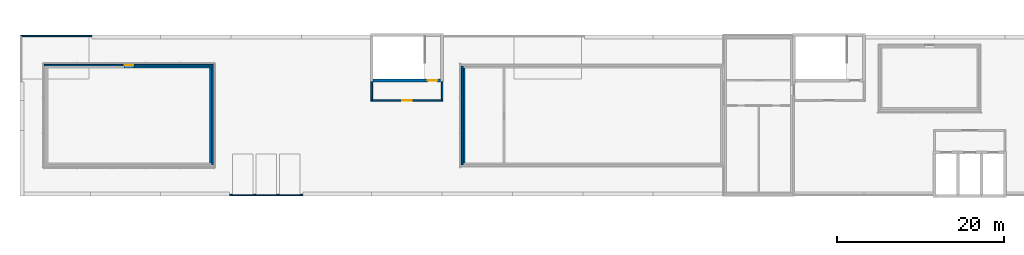
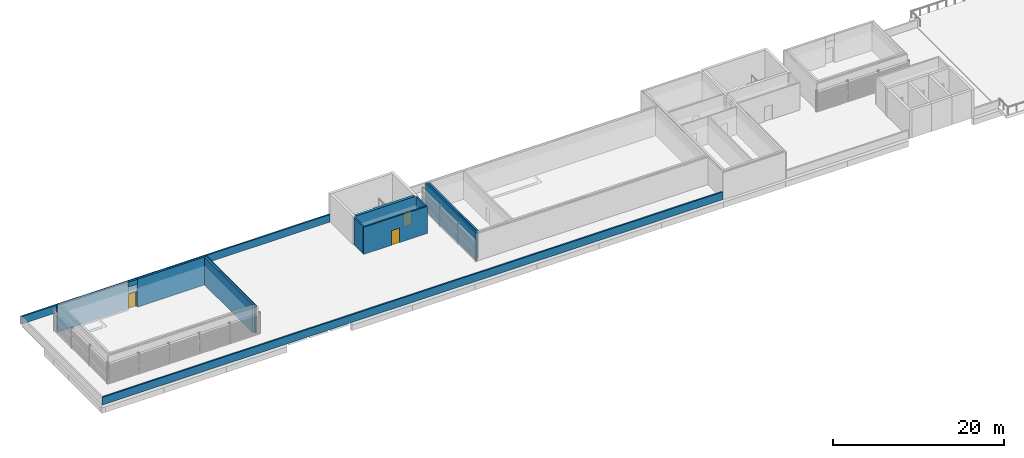
# One storey, part 2 of 13: 13 walls, 3 doors, 3 openings.
"""IFC4 building model written with IfcOpenShell, lengths in metres."""

import ifcopenshell
import ifcopenshell.guid

model = None  # the IFC model being written
_history = None  # IfcOwnerHistory: only IFC2X3 demands one
_inside = {}  # id of a spatial element -> (the spatial element, [elements in it])
_under = {}  # id of a project, library or spatial element -> (it, [spatial elements below it])
_declared = {}  # id of a project -> (the project, [libraries it declares])
_typed = {}  # id of a type object -> (the type object, [elements of that type])
_made_of = {}  # id of a material, layer set ... -> (it, [elements and type objects made of it])


def new_model(schema):
    """Start an empty IFC model of exactly this schema.

    Asked for "IFC4X3", IfcOpenShell would pick the latest addendum, in which some entities
    have other attributes; the version numbers below select the first issue.
    IFC2X3 requires an IfcOwnerHistory on every rooted entity: one is made here for all.
    """
    global model, _history
    if schema == "IFC4X3":
        model = ifcopenshell.file(schema_version=(4, 3, 0, 0))
    else:
        model = ifcopenshell.file(schema=schema)
    _inside.clear()
    _under.clear()
    _declared.clear()
    _typed.clear()
    _made_of.clear()
    _history = None
    if model.schema == "IFC2X3":
        org = make("IfcOrganization", Name="unknown")
        user = make(
            "IfcPersonAndOrganization",
            ThePerson=make("IfcPerson", FamilyName="unknown"),
            TheOrganization=org,
        )
        app = make(
            "IfcApplication",
            ApplicationDeveloper=org,
            Version="unknown",
            ApplicationFullName="unknown",
            ApplicationIdentifier="unknown",
        )
        _history = make(
            "IfcOwnerHistory",
            OwningUser=user,
            OwningApplication=app,
            ChangeAction="ADDED",
            CreationDate=0,
        )
    return model


def make(cls, **values):
    """One entity of the class cls with the attributes given. An attribute that is None is left unset."""
    return model.create_entity(
        cls, **{name: value for name, value in values.items() if value is not None}
    )


def rooted(cls, **values):
    """An entity with a GlobalId (a new one), such as an element, a storey or a relation."""
    return make(cls, GlobalId=ifcopenshell.guid.new(), OwnerHistory=_history, **values)


def si_unit(unit_type, name, prefix=None):
    """IfcSIUnit, for example si_unit("LENGTHUNIT", "METRE", prefix="MILLI")."""
    return make("IfcSIUnit", UnitType=unit_type, Prefix=prefix, Name=name)


def assignment(units):
    """IfcUnitAssignment: the units of a project."""
    return None if units is None else make("IfcUnitAssignment", Units=units)


def point(xyz):
    """IfcCartesianPoint."""
    return None if xyz is None else make("IfcCartesianPoint", Coordinates=xyz)


def direction(xyz):
    """IfcDirection."""
    return None if xyz is None else make("IfcDirection", DirectionRatios=xyz)


def frame(location, z_axis=None, x_axis=None):
    """IfcAxis2Placement3D, a coordinate frame: its origin and axes. An axis left out is left unset."""
    return make(
        "IfcAxis2Placement3D",
        Location=point(location),
        Axis=direction(z_axis),
        RefDirection=direction(x_axis),
    )


def frame_2d(location, x_axis=None):
    """IfcAxis2Placement2D, a coordinate frame in the plane: its origin and x axis."""
    return make(
        "IfcAxis2Placement2D", Location=point(location), RefDirection=direction(x_axis)
    )


def origin():
    """The frame at (0, 0, 0) with its axes left unset."""
    return frame((0.0, 0.0, 0.0))


def place(relative_to, where):
    """IfcLocalPlacement: puts the frame where relative to a parent placement (None: the world)."""
    return make(
        "IfcLocalPlacement", PlacementRelTo=relative_to, RelativePlacement=where
    )


def context(
    kind, dimensions, precision=None, world=None, true_north=None, identifier=None
):
    """IfcGeometricRepresentationContext, for example the 3D "Model" context."""
    return make(
        "IfcGeometricRepresentationContext",
        ContextIdentifier=identifier,
        ContextType=kind,
        CoordinateSpaceDimension=dimensions,
        Precision=precision,
        WorldCoordinateSystem=world,
        TrueNorth=true_north,
    )


def subcontext(parent, identifier, kind, view, scale=None):
    """IfcGeometricRepresentationSubContext, for example "Body" below "Model"."""
    return make(
        "IfcGeometricRepresentationSubContext",
        ContextIdentifier=identifier,
        ContextType=kind,
        ParentContext=parent,
        TargetScale=scale,
        TargetView=view,
    )


def project(units=None, contexts=None):
    """IfcProject with its units and contexts."""
    return rooted(
        "IfcProject",
        Name="project",
        RepresentationContexts=contexts,
        UnitsInContext=assignment(units),
    )


def spatial(cls, under=None, at=None, **own):
    """A site, building, storey or space (cls), placed at a placement, below another one or the project."""
    s = rooted(cls, ObjectPlacement=at, **own)
    if under is not None:
        _under.setdefault(under.id(), (under, []))[1].append(s)
    return s


def polyline(points):
    """IfcPolyline through the points."""
    return make("IfcPolyline", Points=[point(p) for p in points])


def profile(cls, at=None, kind="AREA", **sizes):
    """A parametric profile (cls). Its sizes go by their IFC names, for example OverallWidth=200.0."""
    return make(cls, ProfileType=kind, Position=at, **sizes)


def rectangle(**sizes):
    """IfcRectangleProfileDef."""
    return profile("IfcRectangleProfileDef", **sizes)


def outline(outer, holes=None, kind="AREA"):
    """IfcArbitraryClosedProfileDef: a profile drawn as a closed curve; with holes, ...WithVoids."""
    if holes is None:
        return make("IfcArbitraryClosedProfileDef", ProfileType=kind, OuterCurve=outer)
    return make(
        "IfcArbitraryProfileDefWithVoids",
        ProfileType=kind,
        OuterCurve=outer,
        InnerCurves=holes,
    )


def extrude(swept, where, along, depth):
    """IfcExtrudedAreaSolid: the profile swept, set in the frame where, extruded along a direction by depth."""
    return make(
        "IfcExtrudedAreaSolid",
        SweptArea=swept,
        Position=where,
        ExtrudedDirection=direction(along),
        Depth=depth,
    )


def shape(context_of_items, identifier, shape_type, items):
    """IfcShapeRepresentation: the items that make up one representation, for example the "Body"."""
    return make(
        "IfcShapeRepresentation",
        ContextOfItems=context_of_items,
        RepresentationIdentifier=identifier,
        RepresentationType=shape_type,
        Items=items,
    )


def material(Name=None, Category=None):
    """IfcMaterial."""
    return make("IfcMaterial", Name=Name, Category=Category)


def layer(
    of_material, thickness, ventilated=None, Name=None, Category=None, Priority=None
):
    """IfcMaterialLayer: one layer of a wall or slab, of a material (None: an air gap)."""
    return make(
        "IfcMaterialLayer",
        Material=of_material,
        LayerThickness=thickness,
        IsVentilated=ventilated,
        Name=Name,
        Category=Category,
        Priority=Priority,
    )


def layer_set(layers, Name=None):
    """IfcMaterialLayerSet."""
    return make("IfcMaterialLayerSet", MaterialLayers=layers, LayerSetName=Name)


def made_of(thing, what):
    """Note that an element or type object is made of a material, layer set ...; save() writes the relation."""
    if what is not None:
        _made_of.setdefault(what.id(), (what, []))[1].append(thing)
    return thing


def type_object(cls, material=None, **own):
    """A type object (cls), such as IfcWallType, which elements share."""
    return made_of(rooted(cls, **own), material)


def element(
    cls,
    number,
    at=None,
    inside=None,
    cuts=None,
    type_object=None,
    material=None,
    context=None,
    identifier="Body",
    shape_type=None,
    held_by="IfcProductDefinitionShape",
    body=None,
    shapes=None,
    **own,
):
    """One element of the class cls, such as IfcWall. Its Tag is "e" and its number.

    at: its placement. inside: the storey or other place that contains it. cuts: it is an
    opening in that element (IfcRelVoidsElement). A single representation is given by context,
    identifier, shape_type and body (its items); several are given by shapes. held_by: the class
    of the entity that holds the representations. save() writes the other relations.
    """
    e = rooted(cls, Tag="e%d" % number, ObjectPlacement=at, **own)
    if body is not None:
        shapes = [shape(context, identifier, shape_type, body)]
    if shapes is not None:
        e.Representation = make(held_by, Representations=shapes)
    if inside is not None:
        _inside.setdefault(inside.id(), (inside, []))[1].append(e)
    if cuts is not None:
        rooted(
            "IfcRelVoidsElement", RelatingBuildingElement=cuts, RelatedOpeningElement=e
        )
    if type_object is not None:
        _typed.setdefault(type_object.id(), (type_object, []))[1].append(e)
    return made_of(e, material)


def fill(opening, filler):
    """IfcRelFillsElement: the door or window that sits in an opening."""
    return rooted(
        "IfcRelFillsElement",
        RelatingOpeningElement=opening,
        RelatedBuildingElement=filler,
    )


def aggregate(whole, parts):
    """IfcRelAggregates: a whole, such as a stair, and the parts it consists of."""
    return rooted("IfcRelAggregates", RelatingObject=whole, RelatedObjects=parts)


def save(model, path):
    """Write the relations noted so far, then the file.

    IfcRelAggregates (storeys below a building ...), IfcRelContainedInSpatialStructure (elements
    in a storey), IfcRelDefinesByType, IfcRelAssociatesMaterial and IfcRelDeclares: one each for
    every whole, place, type object, material and project.
    """
    for whole, parts in _under.values():
        aggregate(whole, parts)
    for where, things in _inside.values():
        rooted(
            "IfcRelContainedInSpatialStructure",
            RelatedElements=things,
            RelatingStructure=where,
        )
    for kind, things in _typed.values():
        rooted("IfcRelDefinesByType", RelatedObjects=things, RelatingType=kind)
    for what, things in _made_of.values():
        rooted("IfcRelAssociatesMaterial", RelatedObjects=things, RelatingMaterial=what)
    for by, libraries in _declared.values():
        rooted("IfcRelDeclares", RelatingContext=by, RelatedDefinitions=libraries)
    model.write(path)


model = new_model("IFC4")

# Units and contexts
model_context = context("Model", 3, precision=1e-05, world=origin(), true_north=direction((0.0, 1.0)))
body_context = subcontext(model_context, "Body", "Model", "MODEL_VIEW")
ifc_project = project(units=[si_unit("LENGTHUNIT", "METRE"), si_unit("AREAUNIT", "SQUARE_METRE"), si_unit("VOLUMEUNIT", "CUBIC_METRE"), si_unit("PLANEANGLEUNIT", "RADIAN"), si_unit("MASSUNIT", "GRAM", prefix="KILO")], contexts=[model_context])

# Site, building, storey
site_placement = place(None, origin())
site = spatial("IfcSite", under=ifc_project, at=site_placement, CompositionType="ELEMENT")
building_placement = place(site_placement, origin())
building = spatial("IfcBuilding", under=site, at=building_placement, Name="Bougainvillea Quay General Hospital", CompositionType="ELEMENT")
storey_placement = place(building_placement, frame((0.0, 0.0, 36.60009765625)))
storey = spatial("IfcBuildingStorey", under=building, at=storey_placement, Name="L08", CompositionType="ELEMENT", Elevation=36.60009765625)

# Walls
ifc_material_1 = material(Name="Concrete C40, cast in situ", Category="concrete")
ifc_layer_1 = layer(ifc_material_1, 0.25)
ifc_layer_set_1 = layer_set([ifc_layer_1], Name="Concrete C40, cast in situ")
wall_type_1 = type_object("IfcWallType", Name="Lift overrun wall RC 250", PredefinedType="SOLIDWALL", material=ifc_layer_set_1)
wall_1_placement = place(storey_placement, origin())
element("IfcWall", 1, at=wall_1_placement, inside=storey, type_object=wall_type_1, Name="Lift overrun wall 0", PredefinedType="SOLIDWALL", context=body_context, shape_type="SweptSolid", body=[
    extrude(outline(polyline([(94.900390625, 144.3505859375), (95.150390625, 144.3505859375), (95.150390625, 155.6494140625), (94.900390625, 155.6494140625), (94.900390625, 144.3505859375)])), origin(), (0.0, 0.0, 1.0), 4.0),
])
wall_2_placement = place(storey_placement, origin())
element("IfcWall", 2, at=wall_2_placement, inside=storey, type_object=wall_type_1, Name="Lift overrun wall 0", PredefinedType="SOLIDWALL", context=body_context, shape_type="SweptSolid", body=[
    extrude(outline(polyline([(64.6494140625, 144.3505859375), (64.8994140625, 144.3505859375), (64.8994140625, 155.6494140625), (64.6494140625, 155.6494140625), (64.6494140625, 144.3505859375)])), origin(), (0.0, 0.0, 1.0), 4.0),
])
wall_3_placement = place(storey_placement, origin())
element("IfcWall", 3, at=wall_3_placement, inside=storey, type_object=wall_type_1, Name="Lift overrun wall 0", PredefinedType="SOLIDWALL", context=body_context, shape_type="SweptSolid", body=[
    extrude(outline(polyline([(64.8994140625, 155.8994140625), (64.8994140625, 155.6494140625), (55.60009765625, 155.6494140625), (55.60009765625, 155.8994140625), (64.8994140625, 155.8994140625)])), origin(), (0.0, 0.0, 1.0), 4.0),
])
wall_4_placement = place(storey_placement, frame((0.0, 0.0, 3.309814453125)))
element("IfcWall", 4, at=wall_4_placement, inside=storey, type_object=wall_type_1, Name="Lift overrun wall 0", PredefinedType="SOLIDWALL", context=body_context, shape_type="SweptSolid", body=[
    extrude(outline(polyline([(54.39990234375, 155.6494140625), (54.39990234375, 155.8994140625), (55.60009765625, 155.8994140625), (55.60009765625, 155.6494140625), (54.39990234375, 155.6494140625)])), origin(), (0.0, 0.0, 1.0), 0.690185546875),
])

# Wall, opening, door
ifc_material_2 = material(Name="Fire-rated autoclaved aerated block wall, plastered")
ifc_layer_2 = layer(ifc_material_2, 0.199951171875)
ifc_layer_set_2 = layer_set([ifc_layer_2], Name="Fire-rated autoclaved aerated block wall, plastered")
wall_type_2 = type_object("IfcWallType", Name="Partition 200 Fire-rated autoclaved aerated block wall EI 120", PredefinedType="SOLIDWALL", material=ifc_layer_set_2)
wall_5_placement = place(storey_placement, frame((83.89990234375, 151.800048828125, 0.0), z_axis=(0.0, 0.0, 1.0), x_axis=(1.0, 0.0, 0.0)))
wall_5 = element("IfcWall", 5, at=wall_5_placement, inside=storey, type_object=wall_type_2, Name="Partition 200 mm EI 120", PredefinedType="SOLIDWALL", context=body_context, shape_type="SweptSolid", body=[
    extrude(rectangle(XDim=8.60009765625, YDim=0.199951171875, at=frame_2d((4.300048828125, 0.0))), origin(), (0.0, 0.0, 1.0), 3.89990234375),
])
opening_1_placement = place(wall_5_placement, frame((3.75, 0.0, 0.0)))
opening_1 = element("IfcOpeningElement", 6, at=opening_1_placement, cuts=wall_5, Name="Opening L08.008", PredefinedType="OPENING", context=body_context, shape_type="SweptSolid", body=[
    extrude(rectangle(XDim=1.10009765625, YDim=2.10009765625, at=frame_2d((0.550048828125, 1.050048828125))), frame((0.0, 0.10986328125, 0.0), z_axis=(0.0, -1.0, 0.0), x_axis=(1.0, 0.0, 0.0)), (0.0, 0.0, 1.0), 0.219970703125),
])
ifc_material_3 = material(Name="Steel fire door leaf in steel frame", Category="steel")
door_type_1 = type_object("IfcDoorType", Name="Steel single leaf door 1100x2100 FD60", OperationType="NOTDEFINED", PredefinedType="DOOR", material=ifc_material_3)
door_1_placement = place(opening_1_placement, origin())
door_1 = element("IfcDoor", 7, at=door_1_placement, inside=storey, type_object=door_type_1, Name="DT04 L08.008", OperationType="SINGLE_SWING_RIGHT", OverallHeight=2.10009765625, OverallWidth=1.10009765625, PredefinedType="DOOR", context=body_context, shape_type="SweptSolid", body=[
    extrude(rectangle(XDim=1.10009765625, YDim=2.10009765625, at=frame_2d((0.550048828125, 1.050048828125))), frame((0.0, 0.02490234375, 0.0), z_axis=(0.0, -1.0, 0.0), x_axis=(1.0, 0.0, 0.0)), (0.0, 0.0, 1.0), 0.050048828125),
])
fill(opening_1, door_1)

# Walls
for number, where, z_axis, x_axis, name in (
    (8, (84.0, 151.89990234375, 0.0), (0.0, 0.0, 1.0), (0.0, 1.0, 0.0), "Partition 200 mm EI 120"),
    (9, (92.39990234375, 151.89990234375, 0.0), (0.0, 0.0, 1.0), (0.0, 1.0, 0.0), "Partition 200 mm EI 120"),
):
    element("IfcWall", number, at=place(storey_placement, frame(where, z_axis=z_axis, x_axis=x_axis)), inside=storey, type_object=wall_type_2, Name=name, PredefinedType="SOLIDWALL", context=body_context, shape_type="SweptSolid", body=[
        extrude(rectangle(XDim=2.125, YDim=0.199951171875, at=frame_2d((1.0625, 0.0))), origin(), (0.0, 0.0, 1.0), 3.89990234375),
    ])

# Wall, opening, door
ifc_layer_3 = layer(ifc_material_2, 0.199951171875)
ifc_layer_set_3 = layer_set([ifc_layer_3], Name="Fire-rated autoclaved aerated block wall, plastered")
wall_type_3 = type_object("IfcWallType", Name="Partition 200 Fire-rated autoclaved aerated block wall EI 60", PredefinedType="SOLIDWALL", material=ifc_layer_set_3)
wall_6_placement = place(storey_placement, frame((44.89990234375, 156.0, 0.0), z_axis=(0.0, 0.0, 1.0), x_axis=(1.0, 0.0, 0.0)))
wall_6 = element("IfcWall", 10, at=wall_6_placement, inside=storey, type_object=wall_type_3, Name="Partition 200 mm EI 60", PredefinedType="SOLIDWALL", context=body_context, shape_type="SweptSolid", body=[
    extrude(rectangle(XDim=20.2001953125, YDim=0.199951171875, at=frame_2d((10.10009765625, 0.0))), origin(), (0.0, 0.0, 1.0), 3.89990234375),
])
opening_2_placement = place(wall_6_placement, frame((9.60009765625, 0.0, 0.0)))
opening_2 = element("IfcOpeningElement", 11, at=opening_2_placement, cuts=wall_6, Name="Opening L08.014", PredefinedType="OPENING", context=body_context, shape_type="SweptSolid", body=[
    extrude(rectangle(XDim=1.0, YDim=2.10009765625, at=frame_2d((0.5, 1.050048828125))), frame((0.0, 0.10986328125, 0.0), z_axis=(0.0, -1.0, 0.0), x_axis=(1.0, 0.0, 0.0)), (0.0, 0.0, 1.0), 0.219970703125),
])
door_type_2 = type_object("IfcDoorType", Name="Steel single leaf door 1000x2100 FD60", OperationType="NOTDEFINED", PredefinedType="DOOR", material=ifc_material_3)
door_2_placement = place(opening_2_placement, origin())
door_2 = element("IfcDoor", 12, at=door_2_placement, inside=storey, type_object=door_type_2, Name="DT10 L08.014", OperationType="SINGLE_SWING_RIGHT", OverallHeight=2.10009765625, OverallWidth=1.0, PredefinedType="DOOR", context=body_context, shape_type="SweptSolid", body=[
    extrude(rectangle(XDim=1.0, YDim=2.10009765625, at=frame_2d((0.5, 1.050048828125))), frame((0.0, 0.02490234375, 0.0), z_axis=(0.0, -1.0, 0.0), x_axis=(1.0, 0.0, 0.0)), (0.0, 0.0, 1.0), 0.050048828125),
])
fill(opening_2, door_2)

# Walls
for number, where, z_axis, x_axis, name in (
    (13, (65.0, 144.10009765625, 0.0), (0.0, 0.0, 1.0), (0.0, 1.0, 0.0), "Partition 200 mm EI 60"),
    (14, (94.800048828125, 144.10009765625, 0.0), (0.0, 0.0, 1.0), (0.0, 1.0, 0.0), "Partition 200 mm EI 60"),
):
    element("IfcWall", number, at=place(storey_placement, frame(where, z_axis=z_axis, x_axis=x_axis)), inside=storey, type_object=wall_type_3, Name=name, PredefinedType="SOLIDWALL", context=body_context, shape_type="SweptSolid", body=[
        extrude(rectangle(XDim=11.7998046875, YDim=0.199951171875, at=frame_2d((5.89990234375, 0.0))), origin(), (0.0, 0.0, 1.0), 3.89990234375),
    ])

# Wall, opening, door
ifc_material_4 = material(Name="Concrete C40", Category="concrete")
ifc_layer_4 = layer(ifc_material_4, 0.35009765625)
ifc_layer_set_4 = layer_set([ifc_layer_4], Name="Concrete C40")
wall_type_4 = type_object("IfcWallType", Name="RC SHEAR WALL 350 C40", PredefinedType="SHEAR", material=ifc_layer_set_4)
wall_7_placement = place(storey_placement, frame((84.175048828125, 154.199951171875, 0.0), z_axis=(0.0, 0.0, 1.0), x_axis=(1.0, 0.0, 0.0)))
wall_7 = element("IfcWall", 15, at=wall_7_placement, inside=storey, type_object=wall_type_4, Name="Shear wall L08", PredefinedType="SHEAR", context=body_context, shape_type="SweptSolid", body=[
    extrude(rectangle(XDim=8.050048828125, YDim=0.35009765625, at=frame_2d((4.02490234375, 0.0))), origin(), (0.0, 0.0, 1.0), 4.0),
])
opening_3_placement = place(wall_7_placement, frame((6.53759765625, 0.0, 0.0)))
opening_3 = element("IfcOpeningElement", 16, at=opening_3_placement, cuts=wall_7, Name="Opening L08.007", PredefinedType="OPENING", context=body_context, shape_type="SweptSolid", body=[
    extrude(rectangle(XDim=1.10009765625, YDim=2.10009765625, at=frame_2d((0.550048828125, 1.050048828125))), frame((0.0, 0.18505859375, 0.0), z_axis=(0.0, -1.0, 0.0), x_axis=(1.0, 0.0, 0.0)), (0.0, 0.0, 1.0), 0.3701171875),
])
door_3_placement = place(opening_3_placement, origin())
door_3 = element("IfcDoor", 17, at=door_3_placement, inside=storey, type_object=door_type_1, Name="DT04 L08.007", OperationType="SINGLE_SWING_RIGHT", OverallHeight=2.10009765625, OverallWidth=1.10009765625, PredefinedType="DOOR", context=body_context, shape_type="SweptSolid", body=[
    extrude(rectangle(XDim=1.10009765625, YDim=2.10009765625, at=frame_2d((0.550048828125, 1.050048828125))), frame((0.0, 0.02490234375, 0.0), z_axis=(0.0, -1.0, 0.0), x_axis=(1.0, 0.0, 0.0)), (0.0, 0.0, 1.0), 0.050048828125),
])
fill(opening_3, door_3)

# Walls
ifc_material_5 = material(Name="Concrete C35 upstand, painted white", Category="concrete")
ifc_layer_5 = layer(ifc_material_5, 0.199951171875)
ifc_layer_set_5 = layer_set([ifc_layer_5], Name="Concrete C35 upstand, painted white")
wall_type_5 = type_object("IfcWallType", Name="Roof parapet wall 200", PredefinedType="PARAPET", material=ifc_layer_set_5)
wall_8_placement = place(storey_placement, origin())
element("IfcWall", 18, at=wall_8_placement, inside=storey, type_object=wall_type_5, Name="Roof parapet 0 1", PredefinedType="PARAPET", context=body_context, shape_type="SweptSolid", body=[
    extrude(outline(polyline([(42.0, 159.60009765625), (83.820068359375, 159.60009765625), (83.820068359375, 159.39990234375), (42.199951171875, 159.39990234375), (42.0, 159.60009765625)])), origin(), (0.0, 0.0, 1.0), 1.099853515625),
])
wall_9_placement = place(storey_placement, origin())
element("IfcWall", 19, at=wall_9_placement, inside=storey, type_object=wall_type_5, Name="Roof parapet 0 5", PredefinedType="PARAPET", context=body_context, shape_type="SweptSolid", body=[
    extrude(outline(polyline([(42.199951171875, 140.60009765625), (125.925048828125, 140.60009765625), (125.925048828125, 140.39990234375), (42.0, 140.39990234375), (42.199951171875, 140.60009765625)])), origin(), (0.0, 0.0, 1.0), 1.099853515625),
])

save(model, "model.ifc")
